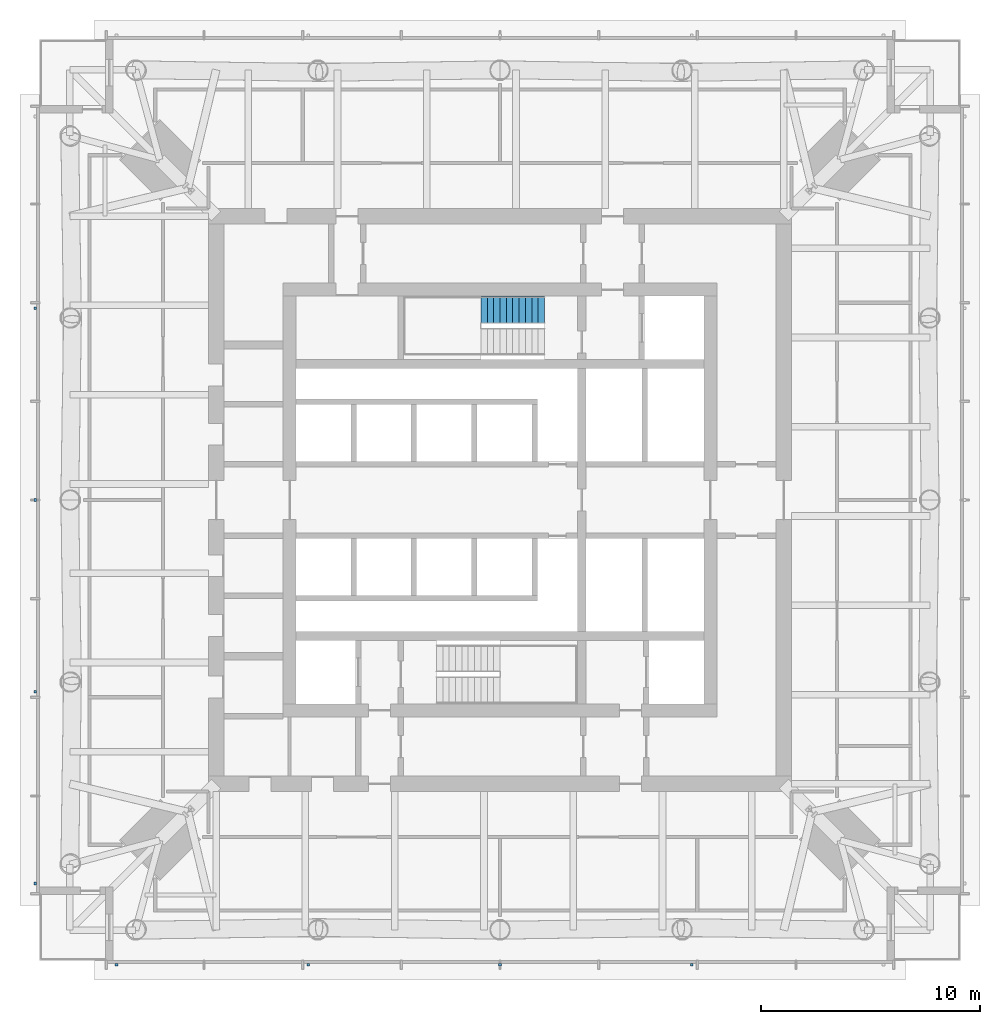
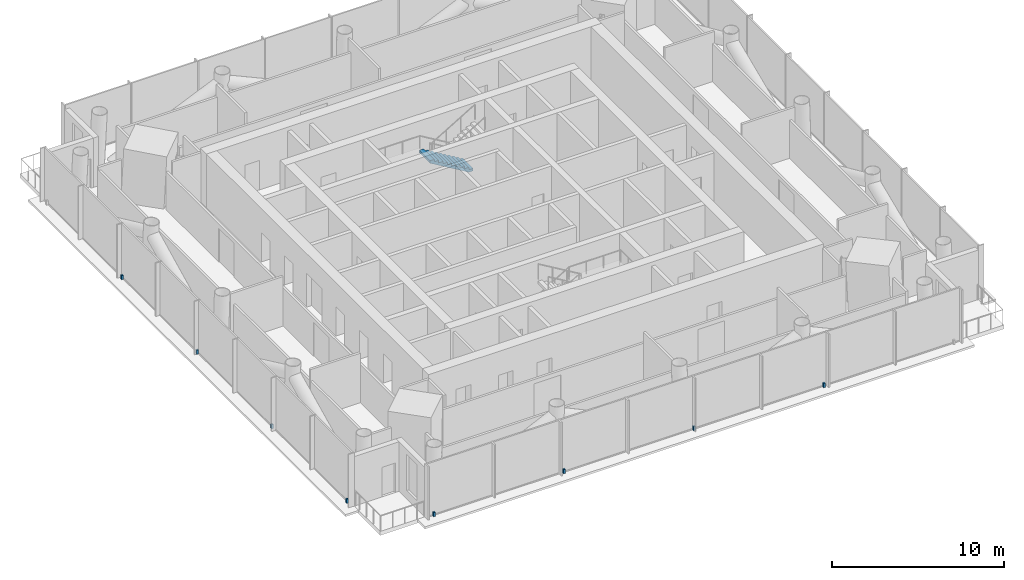
# One storey, part 8 of 13: 8 discrete accessories, 1 stair flight, 1 element without a shape of its own.
"""IFC4 building model written with IfcOpenShell, lengths in metres."""

from ifc_helpers import new_model, si_unit, direction, frame, origin, origin_2d, place, context, subcontext, project, spatial, polyline, rectangle, outline, extrude, material, type_object, element, aggregate, save


model = new_model("IFC4")

# Units and contexts
model_context = context("Model", 3, precision=1e-05, world=origin(), true_north=direction((0.0, 1.0)))
body_context = subcontext(model_context, "Body", "Model", "MODEL_VIEW")
ifc_project = project(units=[si_unit("LENGTHUNIT", "METRE"), si_unit("AREAUNIT", "SQUARE_METRE"), si_unit("VOLUMEUNIT", "CUBIC_METRE"), si_unit("PLANEANGLEUNIT", "RADIAN"), si_unit("MASSUNIT", "GRAM", prefix="KILO")], contexts=[model_context])

# Site, building, storey
site_placement = place(None, origin())
site = spatial("IfcSite", under=ifc_project, at=site_placement, CompositionType="ELEMENT")
building_placement = place(site_placement, origin())
building = spatial("IfcBuilding", under=site, at=building_placement, Name="Ostroluk Exchange", CompositionType="ELEMENT")
storey_placement = place(building_placement, frame((0.0, 0.0, 157.800048828125)))
storey = spatial("IfcBuildingStorey", under=building, at=storey_placement, Name="L40", CompositionType="ELEMENT", Elevation=157.800048828125)

# Stair, stair flight
ifc_material_1 = material(Name="Concrete C30/37", Category="concrete")
stair_type = type_object("IfcStairType", Name="Exit stair half turn 3800", PredefinedType="HALF_TURN_STAIR", material=ifc_material_1)
stair_placement = place(storey_placement, origin())
stair = element("IfcStair", 1, at=stair_placement, inside=storey, type_object=stair_type, Name="Stair T1-S2 L40", PredefinedType="HALF_TURN_STAIR")
ifc_material_2 = material(Name="Concrete C30/37", Category="concrete")
stair_flight_type = type_object("IfcStairFlightType", Name="Stair flight 11 risers 172.7 x 290", PredefinedType="STRAIGHT", material=ifc_material_2)
stair_flight_placement = place(storey_placement, frame((47.030029296875, 54.675048828125, 0.0), z_axis=(0.0, 0.0, 1.0), x_axis=(-1.0, 0.0, 0.0)))
stair_flight = element("IfcStairFlight", 2, at=stair_flight_placement, type_object=stair_flight_type, Name="T1-S2 flight 1", NumberOfRisers=11, NumberOfTreads=10, PredefinedType="STRAIGHT", RiserHeight=0.172727273, TreadLength=0.29, context=body_context, shape_type="SweptSolid", body=[
    extrude(outline(polyline([(0.0, 0.0), (0.0, 0.172607421875), (0.2900390625, 0.172607421875), (0.2900390625, 0.345458984375), (0.580078125, 0.345458984375), (0.580078125, 0.51806640625), (0.8701171875, 0.51806640625), (0.8701171875, 0.69091796875), (1.159912109375, 0.69091796875), (1.159912109375, 0.863525390625), (1.449951171875, 0.863525390625), (1.449951171875, 1.036376953125), (1.739990234375, 1.036376953125), (1.739990234375, 1.208984375), (2.030029296875, 1.208984375), (2.030029296875, 1.3818359375), (2.320068359375, 1.3818359375), (2.320068359375, 1.554443359375), (2.610107421875, 1.554443359375), (2.610107421875, 1.727294921875), (2.89990234375, 1.727294921875), (2.89990234375, 1.89990234375), (2.89990234375, 1.552734375), (0.29296875, 0.0), (0.0, 0.0)])), frame((0.0, 0.625, 0.0), z_axis=(0.0, -1.0, 0.0), x_axis=(1.0, 0.0, 0.0)), (0.0, 0.0, 1.0), 1.25),
])
aggregate(stair, [stair_flight])

# Discrete accessories
ifc_material_3 = material(Name="Stainless steel", Category="steel")
discrete_accessory_type = type_object("IfcDiscreteAccessoryType", Name="Fall-arrest anchor PN-EN 795 type C", PredefinedType="USERDEFINED", material=ifc_material_3)
for number, where, z_axis, x_axis, name in (
    (3, (27.5, 24.7900390625, 0.0), (0.0, 0.0, 1.0), (1.0, 0.0, 0.0), "Fall-arrest anchor L40 south 1"),
    (4, (36.25, 24.7900390625, 0.0), (0.0, 0.0, 1.0), (1.0, 0.0, 0.0), "Fall-arrest anchor L40 south 2"),
    (5, (45.0, 24.7900390625, 0.0), (0.0, 0.0, 1.0), (1.0, 0.0, 0.0), "Fall-arrest anchor L40 south 3"),
    (6, (53.75, 24.7900390625, 0.0), (0.0, 0.0, 1.0), (1.0, 0.0, 0.0), "Fall-arrest anchor L40 south 4"),
    (7, (23.7900390625, 28.5, 0.0), (0.0, 0.0, 1.0), (1.0, 0.0, 0.0), "Fall-arrest anchor L40 west 1"),
    (8, (23.7900390625, 37.25, 0.0), (0.0, 0.0, 1.0), (1.0, 0.0, 0.0), "Fall-arrest anchor L40 west 2"),
    (9, (23.7900390625, 46.0, 0.0), (0.0, 0.0, 1.0), (1.0, 0.0, 0.0), "Fall-arrest anchor L40 west 3"),
    (10, (23.7900390625, 54.75, 0.0), (0.0, 0.0, 1.0), (1.0, 0.0, 0.0), "Fall-arrest anchor L40 west 4"),
):
    element("IfcDiscreteAccessory", number, at=place(storey_placement, frame(where, z_axis=z_axis, x_axis=x_axis)), inside=storey, type_object=discrete_accessory_type, Name=name, ObjectType="FALL ARREST ANCHOR", PredefinedType="USERDEFINED", context=body_context, shape_type="SweptSolid", body=[
        extrude(rectangle(XDim=0.1201171875, YDim=0.1201171875, at=origin_2d()), origin(), (0.0, 0.0, 1.0), 0.300048828125),
    ])

save(model, "model.ifc")
